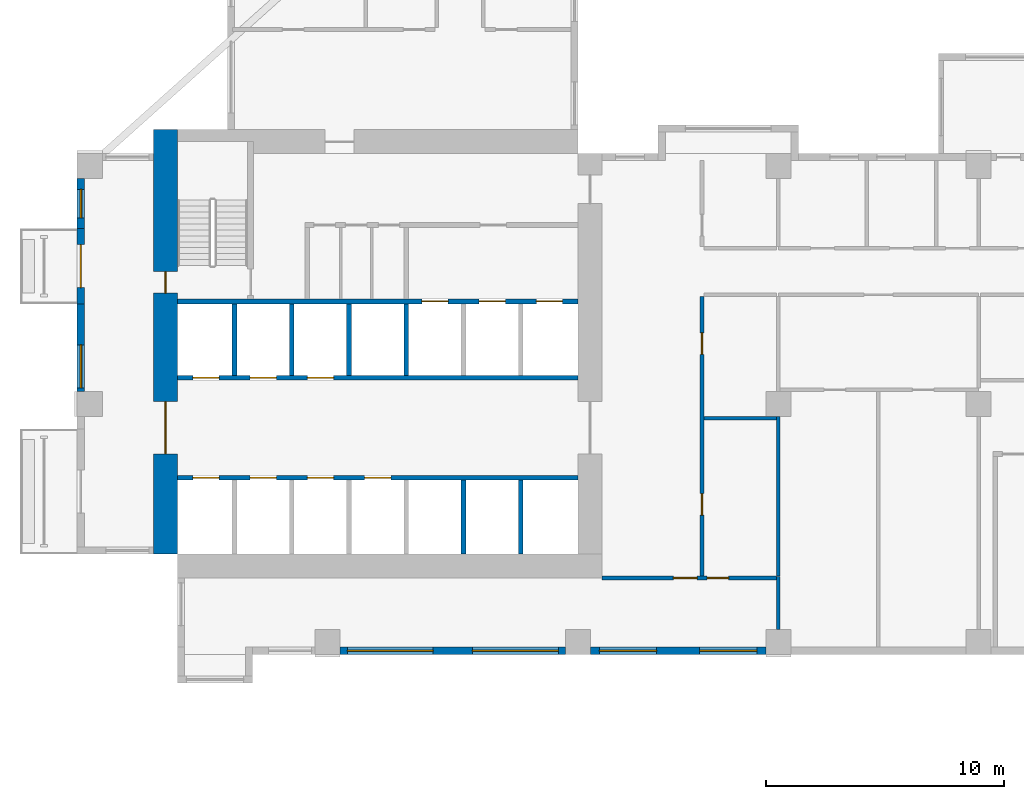
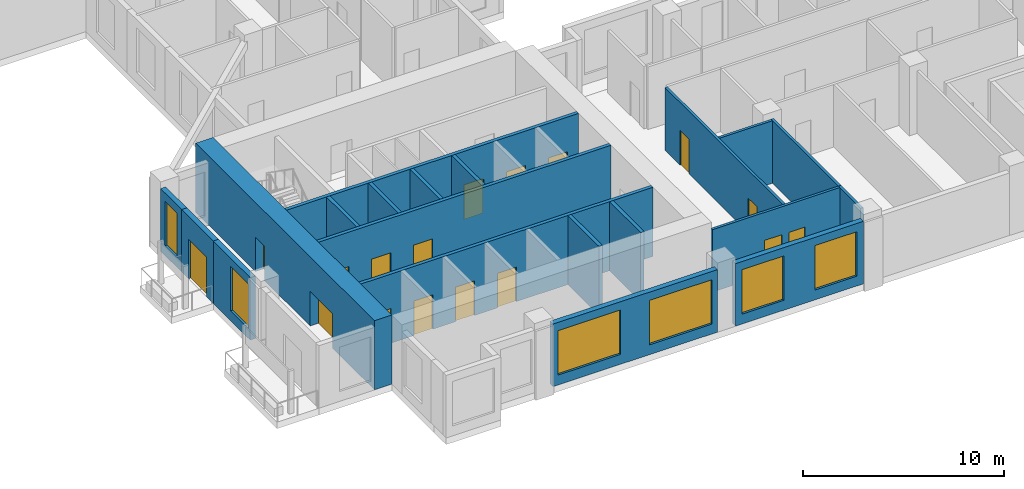
# One storey, part 2 of 15: 20 walls, 17 doors, 6 windows, 23 openings.
"""IFC4 building model written with IfcOpenShell, lengths in metres."""

from ifc_helpers import new_model, si_unit, direction, frame, frame_2d, origin, place, context, subcontext, project, spatial, rectangle, extrude, source, transform, mapped, material, layer, layer_set, type_object, element, fill, save


model = new_model("IFC4")

# Units and contexts
model_context = context("Model", 3, precision=1e-05, world=origin(), true_north=direction((0.0, 1.0)))
body_context = subcontext(model_context, "Body", "Model", "MODEL_VIEW")
ifc_project = project(units=[si_unit("LENGTHUNIT", "METRE"), si_unit("AREAUNIT", "SQUARE_METRE"), si_unit("VOLUMEUNIT", "CUBIC_METRE"), si_unit("PLANEANGLEUNIT", "RADIAN"), si_unit("MASSUNIT", "GRAM", prefix="KILO")], contexts=[model_context])

# Site, building, storey
site_placement = place(None, origin())
site = spatial("IfcSite", under=ifc_project, at=site_placement, CompositionType="ELEMENT")
building_placement = place(site_placement, origin())
building = spatial("IfcBuilding", under=site, at=building_placement, Name="Aurelian Terraces", CompositionType="ELEMENT")
storey_placement = place(building_placement, frame((0.0, 0.0, 120.3)))
storey = spatial("IfcBuildingStorey", under=building, at=storey_placement, Name="L26", CompositionType="ELEMENT", Elevation=120.3)

# Wall, openings, doors
ifc_material_1 = material(Name="Concrete fc' 83 MPa", Category="concrete")
ifc_layer_1 = layer(ifc_material_1, 1.0)
ifc_layer_set_1 = layer_set([ifc_layer_1], Name="CORE WALL 1000 FC83")
wall_type_1 = type_object("IfcWallType", Name="CORE WALL 1000 FC83", PredefinedType="SHEAR", material=ifc_layer_set_1)
shared_shape_1 = source(origin(), body_context, "Body", "SweptSolid", [
    extrude(rectangle(XDim=17.8, YDim=1.0, at=frame_2d((8.9, 0.0))), origin(), (0.0, 0.0, 1.0), 4.2),
])
wall_1_placement = place(storey_placement, frame((3.7, 4.2, 0.0), z_axis=(0.0, 0.0, 1.0), x_axis=(0.0, 1.0, 0.0)))
wall_1 = element("IfcWall", 1, at=wall_1_placement, inside=storey, type_object=wall_type_1, Name="Core wall W L26", PredefinedType="SHEAR", context=body_context, shape_type="MappedRepresentation", body=[
    mapped(shared_shape_1, transform((0.0, 0.0, 0.0), scale=1.0)),
])
shared_shape_2 = source(origin(), body_context, "Body", "SweptSolid", [
    extrude(rectangle(XDim=2.2, YDim=2.1, at=frame_2d((1.1, 1.05))), frame((0.0, 0.51, 0.0), z_axis=(0.0, -1.0, 0.0), x_axis=(1.0, 0.0, 0.0)), (0.0, 0.0, 1.0), 1.02),
])
opening_1_placement = place(wall_1_placement, frame((4.2, 0.0, 0.0)))
opening_1 = element("IfcOpeningElement", 2, at=opening_1_placement, cuts=wall_1, Name="Opening 62922", PredefinedType="OPENING", context=body_context, shape_type="MappedRepresentation", body=[
    mapped(shared_shape_2, transform((0.0, 0.0, 0.0), scale=1.0)),
])
shared_shape_3 = source(origin(), body_context, "Body", "SweptSolid", [
    extrude(rectangle(XDim=0.9, YDim=2.1, at=frame_2d((0.45, 1.05))), frame((0.0, 0.51, 0.0), z_axis=(0.0, -1.0, 0.0), x_axis=(1.0, 0.0, 0.0)), (0.0, 0.0, 1.0), 1.02),
])
opening_2_placement = place(wall_1_placement, frame((10.95, 0.0, 0.0)))
opening_2 = element("IfcOpeningElement", 3, at=opening_2_placement, cuts=wall_1, Name="Opening 62925", PredefinedType="OPENING", context=body_context, shape_type="MappedRepresentation", body=[
    mapped(shared_shape_3, transform((0.0, 0.0, 0.0), scale=1.0)),
])
ifc_material_2 = material(Name="Steel door leaf", Category="steel")
door_type_1 = type_object("IfcDoorType", Name="Core service door 900x2100 right", OperationType="SINGLE_SWING_RIGHT", PredefinedType="DOOR", material=ifc_material_2)
shared_shape_4 = source(origin(), body_context, "Body", "SweptSolid", [
    extrude(rectangle(XDim=0.9, YDim=2.1, at=frame_2d((0.45, 1.05))), frame((0.0, 0.025, 0.0), z_axis=(0.0, -1.0, 0.0), x_axis=(1.0, 0.0, 0.0)), (0.0, 0.0, 1.0), 0.05),
])
door_1_placement = place(opening_2_placement, origin())
door_1 = element("IfcDoor", 4, at=door_1_placement, inside=storey, type_object=door_type_1, Name="Core door 62925", OperationType="SINGLE_SWING_RIGHT", OverallHeight=2.1, OverallWidth=0.9, PredefinedType="DOOR", context=body_context, shape_type="MappedRepresentation", body=[
    mapped(shared_shape_4, transform((0.0, 0.0, 0.0), scale=1.0)),
])
fill(opening_2, door_1)
door_type_2 = type_object("IfcDoorType", Name="Core double door 2200x2100", OperationType="DOUBLE_DOOR_SINGLE_SWING", PredefinedType="DOOR", material=ifc_material_2)
shared_shape_5 = source(origin(), body_context, "Body", "SweptSolid", [
    extrude(rectangle(XDim=2.2, YDim=2.1, at=frame_2d((1.1, 1.05))), frame((0.0, 0.025, 0.0), z_axis=(0.0, -1.0, 0.0), x_axis=(1.0, 0.0, 0.0)), (0.0, 0.0, 1.0), 0.05),
])
door_2_placement = place(opening_1_placement, origin())
door_2 = element("IfcDoor", 5, at=door_2_placement, inside=storey, type_object=door_type_2, Name="Core door 62922", OperationType="DOUBLE_DOOR_SINGLE_SWING", OverallHeight=2.1, OverallWidth=2.2, PredefinedType="DOOR", context=body_context, shape_type="MappedRepresentation", body=[
    mapped(shared_shape_5, transform((0.0, 0.0, 0.0), scale=1.0)),
])
fill(opening_1, door_2)

# Wall, opening, door
ifc_material_3 = material(Name="Terracotta rainscreen cladding", Category="masonry")
ifc_layer_2 = layer(ifc_material_3, 0.3)
ifc_layer_set_2 = layer_set([ifc_layer_2], Name="EW-300")
wall_type_2 = type_object("IfcWallType", Name="EW-300", PredefinedType="STANDARD", material=ifc_layer_set_2)
shared_shape_6 = source(origin(), body_context, "Body", "SweptSolid", [
    extrude(rectangle(XDim=3.15, YDim=0.3, at=frame_2d((1.575, 0.0))), origin(), (0.0, 0.0, 1.0), 3.8),
])
wall_2_placement = place(storey_placement, frame((0.15, 17.85, 0.0), z_axis=(0.0, 0.0, 1.0), x_axis=(0.0, -1.0, 0.0)))
wall_2 = element("IfcWall", 6, at=wall_2_placement, inside=storey, type_object=wall_type_2, Name="External wall L26 F20.40", PredefinedType="STANDARD", context=body_context, shape_type="MappedRepresentation", body=[
    mapped(shared_shape_6, transform((0.0, 0.0, 0.0), scale=1.0)),
])
shared_shape_7 = source(origin(), body_context, "Body", "SweptSolid", [
    extrude(rectangle(XDim=1.8, YDim=2.4, at=frame_2d((0.9, 1.2))), frame((0.0, 0.16, 0.0), z_axis=(0.0, -1.0, 0.0), x_axis=(1.0, 0.0, 0.0)), (0.0, 0.0, 1.0), 0.32),
])
opening_3_placement = place(wall_2_placement, frame((0.675, 0.0, 0.0)))
opening_3 = element("IfcOpeningElement", 7, at=opening_3_placement, cuts=wall_2, Name="Opening 82601", PredefinedType="OPENING", context=body_context, shape_type="MappedRepresentation", body=[
    mapped(shared_shape_7, transform((0.0, 0.0, 0.0), scale=1.0)),
])
ifc_material_4 = material(Name="Clear glazing", Category="glass")
door_type_3 = type_object("IfcDoorType", Name="BD-1800x2400", OperationType="SLIDING_TO_LEFT", PredefinedType="DOOR", material=ifc_material_4)
shared_shape_8 = source(origin(), body_context, "Body", "SweptSolid", [
    extrude(rectangle(XDim=1.8, YDim=2.4, at=frame_2d((0.9, 1.2))), frame((0.0, 0.025, 0.0), z_axis=(0.0, -1.0, 0.0), x_axis=(1.0, 0.0, 0.0)), (0.0, 0.0, 1.0), 0.05),
])
door_3_placement = place(opening_3_placement, origin())
door_3 = element("IfcDoor", 8, at=door_3_placement, inside=storey, type_object=door_type_3, Name="Balcony door L26 F20.40", OperationType="SLIDING_TO_LEFT", OverallHeight=2.4, OverallWidth=1.8, PredefinedType="DOOR", context=body_context, shape_type="MappedRepresentation", body=[
    mapped(shared_shape_8, transform((0.0, 0.0, 0.0), scale=1.0)),
])
fill(opening_3, door_3)

# Wall, openings, windows
shared_shape_9 = source(origin(), body_context, "Body", "SweptSolid", [
    extrude(rectangle(XDim=7.35, YDim=0.3, at=frame_2d((3.675, 0.0))), origin(), (0.0, 0.0, 1.0), 3.8),
])
wall_3_placement = place(storey_placement, frame((21.525, 0.15, 0.0), z_axis=(0.0, 0.0, 1.0), x_axis=(1.0, 0.0, 0.0)))
wall_3 = element("IfcWall", 9, at=wall_3_placement, inside=storey, type_object=wall_type_2, Name="External wall L26 F01.4", PredefinedType="STANDARD", context=body_context, shape_type="MappedRepresentation", body=[
    mapped(shared_shape_9, transform((0.0, 0.0, 0.0), scale=1.0)),
])
shared_shape_10 = source(origin(), body_context, "Body", "SweptSolid", [
    extrude(rectangle(XDim=2.4, YDim=2.7, at=frame_2d((1.2, 1.35))), frame((0.0, 0.16, 0.0), z_axis=(0.0, -1.0, 0.0), x_axis=(1.0, 0.0, 0.0)), (0.0, 0.0, 1.0), 0.32),
])
opening_4_placement = place(wall_3_placement, frame((0.375, 0.0, 0.6)))
opening_4 = element("IfcOpeningElement", 10, at=opening_4_placement, cuts=wall_3, Name="Opening W2427", PredefinedType="OPENING", context=body_context, shape_type="MappedRepresentation", body=[
    mapped(shared_shape_10, transform((0.0, 0.0, 0.0), scale=1.0)),
])
opening_5_placement = place(wall_3_placement, frame((4.575, 0.0, 0.6)))
opening_5 = element("IfcOpeningElement", 11, at=opening_5_placement, cuts=wall_3, Name="Opening W2427", PredefinedType="OPENING", context=body_context, shape_type="MappedRepresentation", body=[
    mapped(shared_shape_10, transform((0.0, 0.0, 0.0), scale=1.0)),
])
window_type_1 = type_object("IfcWindowType", Name="W-2400x2700", PartitioningType="SINGLE_PANEL", PredefinedType="WINDOW", material=ifc_material_4)
shared_shape_11 = source(origin(), body_context, "Body", "SweptSolid", [
    extrude(rectangle(XDim=2.4, YDim=2.7, at=frame_2d((1.2, 1.35))), frame((0.0, 0.03, 0.0), z_axis=(0.0, -1.0, 0.0), x_axis=(1.0, 0.0, 0.0)), (0.0, 0.0, 1.0), 0.06),
])
window_1_placement = place(opening_4_placement, origin())
window_1 = element("IfcWindow", 12, at=window_1_placement, inside=storey, type_object=window_type_1, Name="Window L26 L26-F01-04-0", OverallHeight=2.7, OverallWidth=2.4, PartitioningType="SINGLE_PANEL", PredefinedType="WINDOW", context=body_context, shape_type="MappedRepresentation", body=[
    mapped(shared_shape_11, transform((0.0, 0.0, 0.0), scale=1.0)),
])
fill(opening_4, window_1)
window_2_placement = place(opening_5_placement, origin())
window_2 = element("IfcWindow", 13, at=window_2_placement, inside=storey, type_object=window_type_1, Name="Window L26 L26-F01-04-1", OverallHeight=2.7, OverallWidth=2.4, PartitioningType="SINGLE_PANEL", PredefinedType="WINDOW", context=body_context, shape_type="MappedRepresentation", body=[
    mapped(shared_shape_11, transform((0.0, 0.0, 0.0), scale=1.0)),
])
fill(opening_5, window_2)

# Wall, opening, window
shared_shape_12 = source(origin(), body_context, "Body", "SweptSolid", [
    extrude(rectangle(XDim=2.1, YDim=0.3, at=frame_2d((1.05, 0.0))), origin(), (0.0, 0.0, 1.0), 3.8),
])
wall_4_placement = place(storey_placement, frame((0.15, 19.95, 0.0), z_axis=(0.0, 0.0, 1.0), x_axis=(0.0, -1.0, 0.0)))
wall_4 = element("IfcWall", 14, at=wall_4_placement, inside=storey, type_object=wall_type_2, Name="External wall L26 F20.39", PredefinedType="STANDARD", context=body_context, shape_type="MappedRepresentation", body=[
    mapped(shared_shape_12, transform((0.0, 0.0, 0.0), scale=1.0)),
])
shared_shape_13 = source(origin(), body_context, "Body", "SweptSolid", [
    extrude(rectangle(XDim=1.2, YDim=2.7, at=frame_2d((0.6, 1.35))), frame((0.0, 0.16, 0.0), z_axis=(0.0, -1.0, 0.0), x_axis=(1.0, 0.0, 0.0)), (0.0, 0.0, 1.0), 0.32),
])
opening_6_placement = place(wall_4_placement, frame((0.45, 0.0, 0.6)))
opening_6 = element("IfcOpeningElement", 15, at=opening_6_placement, cuts=wall_4, Name="Opening W1227", PredefinedType="OPENING", context=body_context, shape_type="MappedRepresentation", body=[
    mapped(shared_shape_13, transform((0.0, 0.0, 0.0), scale=1.0)),
])
window_type_2 = type_object("IfcWindowType", Name="W-1200x2700", PartitioningType="SINGLE_PANEL", PredefinedType="WINDOW", material=ifc_material_4)
shared_shape_14 = source(origin(), body_context, "Body", "SweptSolid", [
    extrude(rectangle(XDim=1.2, YDim=2.7, at=frame_2d((0.6, 1.35))), frame((0.0, 0.03, 0.0), z_axis=(0.0, -1.0, 0.0), x_axis=(1.0, 0.0, 0.0)), (0.0, 0.0, 1.0), 0.06),
])
window_3_placement = place(opening_6_placement, origin())
window_3 = element("IfcWindow", 16, at=window_3_placement, inside=storey, type_object=window_type_2, Name="Window L26 L26-F20-39-P0", OverallHeight=2.7, OverallWidth=1.2, PartitioningType="SINGLE_PANEL", PredefinedType="WINDOW", context=body_context, shape_type="MappedRepresentation", body=[
    mapped(shared_shape_14, transform((0.0, 0.0, 0.0), scale=1.0)),
])
fill(opening_6, window_3)

# Wall, openings, windows
shared_shape_15 = source(origin(), body_context, "Body", "SweptSolid", [
    extrude(rectangle(XDim=9.45, YDim=0.3, at=frame_2d((4.725, 0.0))), origin(), (0.0, 0.0, 1.0), 3.8),
])
wall_5_placement = place(storey_placement, frame((11.025, 0.15, 0.0), z_axis=(0.0, 0.0, 1.0), x_axis=(1.0, 0.0, 0.0)))
wall_5 = element("IfcWall", 17, at=wall_5_placement, inside=storey, type_object=wall_type_2, Name="External wall L26 F01.3", PredefinedType="STANDARD", context=body_context, shape_type="MappedRepresentation", body=[
    mapped(shared_shape_15, transform((0.0, 0.0, 0.0), scale=1.0)),
])
shared_shape_16 = source(origin(), body_context, "Body", "SweptSolid", [
    extrude(rectangle(XDim=3.6, YDim=2.7, at=frame_2d((1.8, 1.35))), frame((0.0, 0.16, 0.0), z_axis=(0.0, -1.0, 0.0), x_axis=(1.0, 0.0, 0.0)), (0.0, 0.0, 1.0), 0.32),
])
opening_7_placement = place(wall_5_placement, frame((0.3, 0.0, 0.6)))
opening_7 = element("IfcOpeningElement", 18, at=opening_7_placement, cuts=wall_5, Name="Opening W3627", PredefinedType="OPENING", context=body_context, shape_type="MappedRepresentation", body=[
    mapped(shared_shape_16, transform((0.0, 0.0, 0.0), scale=1.0)),
])
opening_8_placement = place(wall_5_placement, frame((5.55, 0.0, 0.6)))
opening_8 = element("IfcOpeningElement", 19, at=opening_8_placement, cuts=wall_5, Name="Opening W3627", PredefinedType="OPENING", context=body_context, shape_type="MappedRepresentation", body=[
    mapped(shared_shape_16, transform((0.0, 0.0, 0.0), scale=1.0)),
])
window_type_3 = type_object("IfcWindowType", Name="W-3600x2700", PartitioningType="SINGLE_PANEL", PredefinedType="WINDOW", material=ifc_material_4)
shared_shape_17 = source(origin(), body_context, "Body", "SweptSolid", [
    extrude(rectangle(XDim=3.6, YDim=2.7, at=frame_2d((1.8, 1.35))), frame((0.0, 0.03, 0.0), z_axis=(0.0, -1.0, 0.0), x_axis=(1.0, 0.0, 0.0)), (0.0, 0.0, 1.0), 0.06),
])
window_4_placement = place(opening_7_placement, origin())
window_4 = element("IfcWindow", 20, at=window_4_placement, inside=storey, type_object=window_type_3, Name="Window L26 L26-F01-03-0", OverallHeight=2.7, OverallWidth=3.6, PartitioningType="SINGLE_PANEL", PredefinedType="WINDOW", context=body_context, shape_type="MappedRepresentation", body=[
    mapped(shared_shape_17, transform((0.0, 0.0, 0.0), scale=1.0)),
])
fill(opening_7, window_4)
window_5_placement = place(opening_8_placement, origin())
window_5 = element("IfcWindow", 21, at=window_5_placement, inside=storey, type_object=window_type_3, Name="Window L26 L26-F01-03-1", OverallHeight=2.7, OverallWidth=3.6, PartitioningType="SINGLE_PANEL", PredefinedType="WINDOW", context=body_context, shape_type="MappedRepresentation", body=[
    mapped(shared_shape_17, transform((0.0, 0.0, 0.0), scale=1.0)),
])
fill(opening_8, window_5)

# Wall, opening, window
shared_shape_18 = source(origin(), body_context, "Body", "SweptSolid", [
    extrude(rectangle(XDim=3.675, YDim=0.3, at=frame_2d((1.8375, 0.0))), origin(), (0.0, 0.0, 1.0), 3.8),
])
wall_6_placement = place(storey_placement, frame((0.15, 14.7, 0.0), z_axis=(0.0, 0.0, 1.0), x_axis=(0.0, -1.0, 0.0)))
wall_6 = element("IfcWall", 22, at=wall_6_placement, inside=storey, type_object=wall_type_2, Name="External wall L26 F20.41", PredefinedType="STANDARD", context=body_context, shape_type="MappedRepresentation", body=[
    mapped(shared_shape_18, transform((0.0, 0.0, 0.0), scale=1.0)),
])
shared_shape_19 = source(origin(), body_context, "Body", "SweptSolid", [
    extrude(rectangle(XDim=1.8, YDim=2.7, at=frame_2d((0.9, 1.35))), frame((0.0, 0.16, 0.0), z_axis=(0.0, -1.0, 0.0), x_axis=(1.0, 0.0, 0.0)), (0.0, 0.0, 1.0), 0.32),
])
opening_9_placement = place(wall_6_placement, frame((1.725, 0.0, 0.6)))
opening_9 = element("IfcOpeningElement", 23, at=opening_9_placement, cuts=wall_6, Name="Opening W1827", PredefinedType="OPENING", context=body_context, shape_type="MappedRepresentation", body=[
    mapped(shared_shape_19, transform((0.0, 0.0, 0.0), scale=1.0)),
])
window_type_4 = type_object("IfcWindowType", Name="W-1800x2700", PartitioningType="SINGLE_PANEL", PredefinedType="WINDOW", material=ifc_material_4)
shared_shape_20 = source(origin(), body_context, "Body", "SweptSolid", [
    extrude(rectangle(XDim=1.8, YDim=2.7, at=frame_2d((0.9, 1.35))), frame((0.0, 0.03, 0.0), z_axis=(0.0, -1.0, 0.0), x_axis=(1.0, 0.0, 0.0)), (0.0, 0.0, 1.0), 0.06),
])
window_6_placement = place(opening_9_placement, origin())
window_6 = element("IfcWindow", 24, at=window_6_placement, inside=storey, type_object=window_type_4, Name="Window L26 L26-F20-41-0", OverallHeight=2.7, OverallWidth=1.8, PartitioningType="SINGLE_PANEL", PredefinedType="WINDOW", context=body_context, shape_type="MappedRepresentation", body=[
    mapped(shared_shape_20, transform((0.0, 0.0, 0.0), scale=1.0)),
])
fill(opening_9, window_6)

# Walls
ifc_material_5 = material(Name="Concrete fc' 40 MPa", Category="concrete")
ifc_layer_3 = layer(ifc_material_5, 0.2)
ifc_layer_set_3 = layer_set([ifc_layer_3], Name="Lift shaft wall 200")
wall_type_3 = type_object("IfcWallType", Name="Lift shaft wall 200", PredefinedType="SOLIDWALL", material=ifc_layer_set_3)
shared_shape_21 = source(origin(), body_context, "Body", "SweptSolid", [
    extrude(rectangle(XDim=3.1, YDim=0.2, at=frame_2d((1.55, 0.0))), origin(), (0.0, 0.0, 1.0), 4.2),
])
for number, where, z_axis, x_axis, name in (
    (25, (16.2, 4.2, 0.0), (0.0, 0.0, 1.0), (0.0, 1.0, 0.0), "L26 core wall CD-A5"),
    (26, (18.6, 4.2, 0.0), (0.0, 0.0, 1.0), (0.0, 1.0, 0.0), "L26 core wall CD-A6"),
):
    element("IfcWall", number, at=place(storey_placement, frame(where, z_axis=z_axis, x_axis=x_axis)), inside=storey, type_object=wall_type_3, Name=name, PredefinedType="SOLIDWALL", context=body_context, shape_type="MappedRepresentation", body=[
        mapped(shared_shape_21, transform((0.0, 0.0, 0.0), scale=1.0)),
    ])
shared_shape_22 = source(origin(), body_context, "Body", "SweptSolid", [
    extrude(rectangle(XDim=3.0, YDim=0.2, at=frame_2d((1.5, 0.0))), origin(), (0.0, 0.0, 1.0), 4.2),
])
for number, where, z_axis, x_axis, name in (
    (27, (6.6, 11.7, 0.0), (0.0, 0.0, 1.0), (0.0, 1.0, 0.0), "L26 core wall CD-B1"),
    (28, (9.0, 11.7, 0.0), (0.0, 0.0, 1.0), (0.0, 1.0, 0.0), "L26 core wall CD-B2"),
    (29, (11.4, 11.7, 0.0), (0.0, 0.0, 1.0), (0.0, 1.0, 0.0), "L26 core wall CD-B3"),
    (30, (13.8, 11.7, 0.0), (0.0, 0.0, 1.0), (0.0, 1.0, 0.0), "L26 core wall CD-B4"),
):
    element("IfcWall", number, at=place(storey_placement, frame(where, z_axis=z_axis, x_axis=x_axis)), inside=storey, type_object=wall_type_3, Name=name, PredefinedType="SOLIDWALL", context=body_context, shape_type="MappedRepresentation", body=[
        mapped(shared_shape_22, transform((0.0, 0.0, 0.0), scale=1.0)),
    ])

# Wall, openings, doors
shared_shape_23 = source(origin(), body_context, "Body", "SweptSolid", [
    extrude(rectangle(XDim=16.8, YDim=0.2, at=frame_2d((8.4, 0.0))), origin(), (0.0, 0.0, 1.0), 4.2),
])
wall_7_placement = place(storey_placement, frame((4.2, 7.4, 0.0), z_axis=(0.0, 0.0, 1.0), x_axis=(1.0, 0.0, 0.0)))
wall_7 = element("IfcWall", 31, at=wall_7_placement, inside=storey, type_object=wall_type_3, Name="L26 core wall CF-AF1", PredefinedType="SOLIDWALL", context=body_context, shape_type="MappedRepresentation", body=[
    mapped(shared_shape_23, transform((0.0, 0.0, 0.0), scale=1.0)),
])
shared_shape_24 = source(origin(), body_context, "Body", "SweptSolid", [
    extrude(rectangle(XDim=1.1, YDim=2.1, at=frame_2d((0.55, 1.05))), frame((0.0, 0.11, 0.0), z_axis=(0.0, -1.0, 0.0), x_axis=(1.0, 0.0, 0.0)), (0.0, 0.0, 1.0), 0.22),
])
opening_10_placement = place(wall_7_placement, frame((0.65, 0.0, 0.0)))
opening_10 = element("IfcOpeningElement", 32, at=opening_10_placement, cuts=wall_7, Name="Opening 62900", PredefinedType="OPENING", context=body_context, shape_type="MappedRepresentation", body=[
    mapped(shared_shape_24, transform((0.0, 0.0, 0.0), scale=1.0)),
])
opening_11_placement = place(wall_7_placement, frame((3.05, 0.0, 0.0)))
opening_11 = element("IfcOpeningElement", 33, at=opening_11_placement, cuts=wall_7, Name="Opening 62901", PredefinedType="OPENING", context=body_context, shape_type="MappedRepresentation", body=[
    mapped(shared_shape_24, transform((0.0, 0.0, 0.0), scale=1.0)),
])
opening_12_placement = place(wall_7_placement, frame((5.45, 0.0, 0.0)))
opening_12 = element("IfcOpeningElement", 34, at=opening_12_placement, cuts=wall_7, Name="Opening 62902", PredefinedType="OPENING", context=body_context, shape_type="MappedRepresentation", body=[
    mapped(shared_shape_24, transform((0.0, 0.0, 0.0), scale=1.0)),
])
opening_13_placement = place(wall_7_placement, frame((7.85, 0.0, 0.0)))
opening_13 = element("IfcOpeningElement", 35, at=opening_13_placement, cuts=wall_7, Name="Opening 62903", PredefinedType="OPENING", context=body_context, shape_type="MappedRepresentation", body=[
    mapped(shared_shape_24, transform((0.0, 0.0, 0.0), scale=1.0)),
])
ifc_material_6 = material(Name="Stainless steel", Category="steel")
door_type_4 = type_object("IfcDoorType", Name="Lift landing door 1100x2100", OperationType="SLIDING_TO_LEFT", PredefinedType="DOOR", material=ifc_material_6)
shared_shape_25 = source(origin(), body_context, "Body", "SweptSolid", [
    extrude(rectangle(XDim=1.1, YDim=2.1, at=frame_2d((0.55, 1.05))), frame((0.0, 0.025, 0.0), z_axis=(0.0, -1.0, 0.0), x_axis=(1.0, 0.0, 0.0)), (0.0, 0.0, 1.0), 0.05),
])
door_4_placement = place(opening_10_placement, origin())
door_4 = element("IfcDoor", 36, at=door_4_placement, inside=storey, type_object=door_type_4, Name="Lift landing door LL1 L26", OperationType="SLIDING_TO_LEFT", OverallHeight=2.1, OverallWidth=1.1, PredefinedType="DOOR", context=body_context, shape_type="MappedRepresentation", body=[
    mapped(shared_shape_25, transform((0.0, 0.0, 0.0), scale=1.0)),
])
fill(opening_10, door_4)
door_5_placement = place(opening_11_placement, origin())
door_5 = element("IfcDoor", 37, at=door_5_placement, inside=storey, type_object=door_type_4, Name="Lift landing door LL2 L26", OperationType="SLIDING_TO_LEFT", OverallHeight=2.1, OverallWidth=1.1, PredefinedType="DOOR", context=body_context, shape_type="MappedRepresentation", body=[
    mapped(shared_shape_25, transform((0.0, 0.0, 0.0), scale=1.0)),
])
fill(opening_11, door_5)
door_6_placement = place(opening_12_placement, origin())
door_6 = element("IfcDoor", 38, at=door_6_placement, inside=storey, type_object=door_type_4, Name="Lift landing door LL3 L26", OperationType="SLIDING_TO_LEFT", OverallHeight=2.1, OverallWidth=1.1, PredefinedType="DOOR", context=body_context, shape_type="MappedRepresentation", body=[
    mapped(shared_shape_25, transform((0.0, 0.0, 0.0), scale=1.0)),
])
fill(opening_12, door_6)
door_7_placement = place(opening_13_placement, origin())
door_7 = element("IfcDoor", 39, at=door_7_placement, inside=storey, type_object=door_type_4, Name="Lift landing door LL4 L26", OperationType="SLIDING_TO_LEFT", OverallHeight=2.1, OverallWidth=1.1, PredefinedType="DOOR", context=body_context, shape_type="MappedRepresentation", body=[
    mapped(shared_shape_25, transform((0.0, 0.0, 0.0), scale=1.0)),
])
fill(opening_13, door_7)

wall_8_placement = place(storey_placement, frame((4.2, 11.6, 0.0), z_axis=(0.0, 0.0, 1.0), x_axis=(1.0, 0.0, 0.0)))
wall_8 = element("IfcWall", 40, at=wall_8_placement, inside=storey, type_object=wall_type_3, Name="L26 core wall CF-BF1", PredefinedType="SOLIDWALL", context=body_context, shape_type="MappedRepresentation", body=[
    mapped(shared_shape_23, transform((0.0, 0.0, 0.0), scale=1.0)),
])
opening_14_placement = place(wall_8_placement, frame((0.65, 0.0, 0.0)))
opening_14 = element("IfcOpeningElement", 41, at=opening_14_placement, cuts=wall_8, Name="Opening 62904", PredefinedType="OPENING", context=body_context, shape_type="MappedRepresentation", body=[
    mapped(shared_shape_24, transform((0.0, 0.0, 0.0), scale=1.0)),
])
opening_15_placement = place(wall_8_placement, frame((3.05, 0.0, 0.0)))
opening_15 = element("IfcOpeningElement", 42, at=opening_15_placement, cuts=wall_8, Name="Opening 62905", PredefinedType="OPENING", context=body_context, shape_type="MappedRepresentation", body=[
    mapped(shared_shape_24, transform((0.0, 0.0, 0.0), scale=1.0)),
])
opening_16_placement = place(wall_8_placement, frame((5.45, 0.0, 0.0)))
opening_16 = element("IfcOpeningElement", 43, at=opening_16_placement, cuts=wall_8, Name="Opening 62906", PredefinedType="OPENING", context=body_context, shape_type="MappedRepresentation", body=[
    mapped(shared_shape_24, transform((0.0, 0.0, 0.0), scale=1.0)),
])
door_8_placement = place(opening_14_placement, origin())
door_8 = element("IfcDoor", 44, at=door_8_placement, inside=storey, type_object=door_type_4, Name="Lift landing door LL5 L26", OperationType="SLIDING_TO_LEFT", OverallHeight=2.1, OverallWidth=1.1, PredefinedType="DOOR", context=body_context, shape_type="MappedRepresentation", body=[
    mapped(shared_shape_25, transform((0.0, 0.0, 0.0), scale=1.0)),
])
fill(opening_14, door_8)
door_9_placement = place(opening_15_placement, origin())
door_9 = element("IfcDoor", 45, at=door_9_placement, inside=storey, type_object=door_type_4, Name="Lift landing door LL6 L26", OperationType="SLIDING_TO_LEFT", OverallHeight=2.1, OverallWidth=1.1, PredefinedType="DOOR", context=body_context, shape_type="MappedRepresentation", body=[
    mapped(shared_shape_25, transform((0.0, 0.0, 0.0), scale=1.0)),
])
fill(opening_15, door_9)
door_10_placement = place(opening_16_placement, origin())
door_10 = element("IfcDoor", 46, at=door_10_placement, inside=storey, type_object=door_type_4, Name="Lift landing door LL7 L26", OperationType="SLIDING_TO_LEFT", OverallHeight=2.1, OverallWidth=1.1, PredefinedType="DOOR", context=body_context, shape_type="MappedRepresentation", body=[
    mapped(shared_shape_25, transform((0.0, 0.0, 0.0), scale=1.0)),
])
fill(opening_16, door_10)

wall_9_placement = place(storey_placement, frame((4.2, 14.8, 0.0), z_axis=(0.0, 0.0, 1.0), x_axis=(1.0, 0.0, 0.0)))
wall_9 = element("IfcWall", 47, at=wall_9_placement, inside=storey, type_object=wall_type_3, Name="L26 core wall CF-BB1", PredefinedType="SOLIDWALL", context=body_context, shape_type="MappedRepresentation", body=[
    mapped(shared_shape_23, transform((0.0, 0.0, 0.0), scale=1.0)),
])
opening_17_placement = place(wall_9_placement, frame((10.25, 0.0, 0.0)))
opening_17 = element("IfcOpeningElement", 48, at=opening_17_placement, cuts=wall_9, Name="Opening 62907", PredefinedType="OPENING", context=body_context, shape_type="MappedRepresentation", body=[
    mapped(shared_shape_24, transform((0.0, 0.0, 0.0), scale=1.0)),
])
opening_18_placement = place(wall_9_placement, frame((12.65, 0.0, 0.0)))
opening_18 = element("IfcOpeningElement", 49, at=opening_18_placement, cuts=wall_9, Name="Opening 62908", PredefinedType="OPENING", context=body_context, shape_type="MappedRepresentation", body=[
    mapped(shared_shape_24, transform((0.0, 0.0, 0.0), scale=1.0)),
])
opening_19_placement = place(wall_9_placement, frame((15.05, 0.0, 0.0)))
opening_19 = element("IfcOpeningElement", 50, at=opening_19_placement, cuts=wall_9, Name="Opening 62909", PredefinedType="OPENING", context=body_context, shape_type="MappedRepresentation", body=[
    mapped(shared_shape_24, transform((0.0, 0.0, 0.0), scale=1.0)),
])
door_11_placement = place(opening_17_placement, origin())
door_11 = element("IfcDoor", 51, at=door_11_placement, inside=storey, type_object=door_type_4, Name="Lift landing door F1 L26", OperationType="SLIDING_TO_LEFT", OverallHeight=2.1, OverallWidth=1.1, PredefinedType="DOOR", context=body_context, shape_type="MappedRepresentation", body=[
    mapped(shared_shape_25, transform((0.0, 0.0, 0.0), scale=1.0)),
])
fill(opening_17, door_11)
door_12_placement = place(opening_18_placement, origin())
door_12 = element("IfcDoor", 52, at=door_12_placement, inside=storey, type_object=door_type_4, Name="Lift landing door F2 L26", OperationType="SLIDING_TO_LEFT", OverallHeight=2.1, OverallWidth=1.1, PredefinedType="DOOR", context=body_context, shape_type="MappedRepresentation", body=[
    mapped(shared_shape_25, transform((0.0, 0.0, 0.0), scale=1.0)),
])
fill(opening_18, door_12)
door_13_placement = place(opening_19_placement, origin())
door_13 = element("IfcDoor", 53, at=door_13_placement, inside=storey, type_object=door_type_4, Name="Lift landing door F3 L26", OperationType="SLIDING_TO_LEFT", OverallHeight=2.1, OverallWidth=1.1, PredefinedType="DOOR", context=body_context, shape_type="MappedRepresentation", body=[
    mapped(shared_shape_25, transform((0.0, 0.0, 0.0), scale=1.0)),
])
fill(opening_19, door_13)

# Walls
ifc_material_7 = material(Name="Gypsum board on steel studs", Category="steel")
ifc_layer_4 = layer(ifc_material_7, 0.15)
ifc_layer_set_4 = layer_set([ifc_layer_4], Name="Partition 150")
wall_type_4 = type_object("IfcWallType", Name="Partition 150", PredefinedType="PARTITIONING", material=ifc_layer_set_4)
shared_shape_26 = source(origin(), body_context, "Body", "SweptSolid", [
    extrude(rectangle(XDim=6.701, YDim=0.15, at=frame_2d((3.3505, 0.0))), origin(), (0.0, 0.0, 1.0), 3.8),
])
wall_10_placement = place(storey_placement, frame((29.4, 3.275, 0.0), z_axis=(0.0, 0.0, 1.0), x_axis=(0.0, 1.0, 0.0)))
element("IfcWall", 54, at=wall_10_placement, inside=storey, type_object=wall_type_4, Name="Partition", PredefinedType="PARTITIONING", context=body_context, shape_type="MappedRepresentation", body=[
    mapped(shared_shape_26, transform((0.0, 0.0, 0.0), scale=1.0)),
])
shared_shape_27 = source(origin(), body_context, "Body", "SweptSolid", [
    extrude(rectangle(XDim=2.206, YDim=0.15, at=frame_2d((1.103, 0.0))), origin(), (0.0, 0.0, 1.0), 3.8),
])
wall_11_placement = place(storey_placement, frame((29.4, 1.049, 0.0), z_axis=(0.0, 0.0, 1.0), x_axis=(0.0, 1.0, 0.0)))
element("IfcWall", 55, at=wall_11_placement, inside=storey, type_object=wall_type_4, Name="Partition", PredefinedType="PARTITIONING", context=body_context, shape_type="MappedRepresentation", body=[
    mapped(shared_shape_27, transform((0.0, 0.0, 0.0), scale=1.0)),
])
shared_shape_28 = source(origin(), body_context, "Body", "SweptSolid", [
    extrude(rectangle(XDim=3.05, YDim=0.15, at=frame_2d((1.525, 0.0))), origin(), (0.0, 0.0, 1.0), 3.8),
])
wall_12_placement = place(storey_placement, frame((29.325, 9.9, 0.0), z_axis=(0.0, 0.0, 1.0), x_axis=(-1.0, 0.0, 0.0)))
element("IfcWall", 56, at=wall_12_placement, inside=storey, type_object=wall_type_4, Name="Partition", PredefinedType="PARTITIONING", context=body_context, shape_type="MappedRepresentation", body=[
    mapped(shared_shape_28, transform((0.0, 0.0, 0.0), scale=1.0)),
])

# Wall, openings, doors
shared_shape_29 = source(origin(), body_context, "Body", "SweptSolid", [
    extrude(rectangle(XDim=7.325, YDim=0.15, at=frame_2d((3.6625, 0.0))), origin(), (0.0, 0.0, 1.0), 3.8),
])
wall_13_placement = place(storey_placement, frame((22.0, 3.2, 0.0), z_axis=(0.0, 0.0, 1.0), x_axis=(1.0, 0.0, 0.0)))
wall_13 = element("IfcWall", 57, at=wall_13_placement, inside=storey, type_object=wall_type_4, Name="Partition", PredefinedType="PARTITIONING", context=body_context, shape_type="MappedRepresentation", body=[
    mapped(shared_shape_29, transform((0.0, 0.0, 0.0), scale=1.0)),
])
shared_shape_30 = source(origin(), body_context, "Body", "SweptSolid", [
    extrude(rectangle(XDim=1.0, YDim=2.1, at=frame_2d((0.5, 1.05))), frame((0.0, 0.085, 0.0), z_axis=(0.0, -1.0, 0.0), x_axis=(1.0, 0.0, 0.0)), (0.0, 0.0, 1.0), 0.17),
])
opening_20_placement = place(wall_13_placement, frame((3.0, 0.0, 0.0)))
opening_20 = element("IfcOpeningElement", 58, at=opening_20_placement, cuts=wall_13, Name="Opening 726004", PredefinedType="OPENING", context=body_context, shape_type="MappedRepresentation", body=[
    mapped(shared_shape_30, transform((0.0, 0.0, 0.0), scale=1.0)),
])
shared_shape_31 = source(origin(), body_context, "Body", "SweptSolid", [
    extrude(rectangle(XDim=0.9, YDim=2.1, at=frame_2d((0.45, 1.05))), frame((0.0, 0.085, 0.0), z_axis=(0.0, -1.0, 0.0), x_axis=(1.0, 0.0, 0.0)), (0.0, 0.0, 1.0), 0.17),
])
opening_21_placement = place(wall_13_placement, frame((4.413, 0.0, 0.0)))
opening_21 = element("IfcOpeningElement", 59, at=opening_21_placement, cuts=wall_13, Name="Opening 726049", PredefinedType="OPENING", context=body_context, shape_type="MappedRepresentation", body=[
    mapped(shared_shape_31, transform((0.0, 0.0, 0.0), scale=1.0)),
])
ifc_material_8 = material(Name="Timber door leaf", Category="wood")
door_type_5 = type_object("IfcDoorType", Name="Room door 1000x2100 right", OperationType="SINGLE_SWING_RIGHT", PredefinedType="DOOR", material=ifc_material_8)
shared_shape_32 = source(origin(), body_context, "Body", "SweptSolid", [
    extrude(rectangle(XDim=1.0, YDim=2.1, at=frame_2d((0.5, 1.05))), frame((0.0, 0.025, 0.0), z_axis=(0.0, -1.0, 0.0), x_axis=(1.0, 0.0, 0.0)), (0.0, 0.0, 1.0), 0.05),
])
door_14_placement = place(opening_20_placement, origin())
door_14 = element("IfcDoor", 60, at=door_14_placement, inside=storey, type_object=door_type_5, Name="Door 726004", OperationType="SINGLE_SWING_RIGHT", OverallHeight=2.1, OverallWidth=1.0, PredefinedType="DOOR", context=body_context, shape_type="MappedRepresentation", body=[
    mapped(shared_shape_32, transform((0.0, 0.0, 0.0), scale=1.0)),
])
fill(opening_20, door_14)
door_type_6 = type_object("IfcDoorType", Name="Room door 900x2100 left", OperationType="SINGLE_SWING_LEFT", PredefinedType="DOOR", material=ifc_material_8)
door_15_placement = place(opening_21_placement, origin())
door_15 = element("IfcDoor", 61, at=door_15_placement, inside=storey, type_object=door_type_6, Name="Door 726049", OperationType="SINGLE_SWING_LEFT", OverallHeight=2.1, OverallWidth=0.9, PredefinedType="DOOR", context=body_context, shape_type="MappedRepresentation", body=[
    mapped(shared_shape_4, transform((0.0, 0.0, 0.0), scale=1.0)),
])
fill(opening_21, door_15)

shared_shape_33 = source(origin(), body_context, "Body", "SweptSolid", [
    extrude(rectangle(XDim=11.725, YDim=0.15, at=frame_2d((5.8625, 0.0))), origin(), (0.0, 0.0, 1.0), 3.8),
])
wall_14_placement = place(storey_placement, frame((26.2, 15.0, 0.0), z_axis=(0.0, 0.0, 1.0), x_axis=(0.0, -1.0, 0.0)))
wall_14 = element("IfcWall", 62, at=wall_14_placement, inside=storey, type_object=wall_type_4, Name="Partition", PredefinedType="PARTITIONING", context=body_context, shape_type="MappedRepresentation", body=[
    mapped(shared_shape_33, transform((0.0, 0.0, 0.0), scale=1.0)),
])
opening_22_placement = place(wall_14_placement, frame((8.2625, 0.0, 0.0)))
opening_22 = element("IfcOpeningElement", 63, at=opening_22_placement, cuts=wall_14, Name="Opening 726001", PredefinedType="OPENING", context=body_context, shape_type="MappedRepresentation", body=[
    mapped(shared_shape_31, transform((0.0, 0.0, 0.0), scale=1.0)),
])
opening_23_placement = place(wall_14_placement, frame((1.525, 0.0, 0.0)))
opening_23 = element("IfcOpeningElement", 64, at=opening_23_placement, cuts=wall_14, Name="Opening 726002", PredefinedType="OPENING", context=body_context, shape_type="MappedRepresentation", body=[
    mapped(shared_shape_31, transform((0.0, 0.0, 0.0), scale=1.0)),
])
door_16_placement = place(opening_22_placement, origin())
door_16 = element("IfcDoor", 65, at=door_16_placement, inside=storey, type_object=door_type_6, Name="Door 726001", OperationType="SINGLE_SWING_LEFT", OverallHeight=2.1, OverallWidth=0.9, PredefinedType="DOOR", context=body_context, shape_type="MappedRepresentation", body=[
    mapped(shared_shape_4, transform((0.0, 0.0, 0.0), scale=1.0)),
])
fill(opening_22, door_16)
door_type_7 = type_object("IfcDoorType", Name="Room door 900x2100 right", OperationType="SINGLE_SWING_RIGHT", PredefinedType="DOOR", material=ifc_material_8)
door_17_placement = place(opening_23_placement, origin())
door_17 = element("IfcDoor", 66, at=door_17_placement, inside=storey, type_object=door_type_7, Name="Door 726002", OperationType="SINGLE_SWING_RIGHT", OverallHeight=2.1, OverallWidth=0.9, PredefinedType="DOOR", context=body_context, shape_type="MappedRepresentation", body=[
    mapped(shared_shape_4, transform((0.0, 0.0, 0.0), scale=1.0)),
])
fill(opening_23, door_17)

save(model, "model.ifc")
